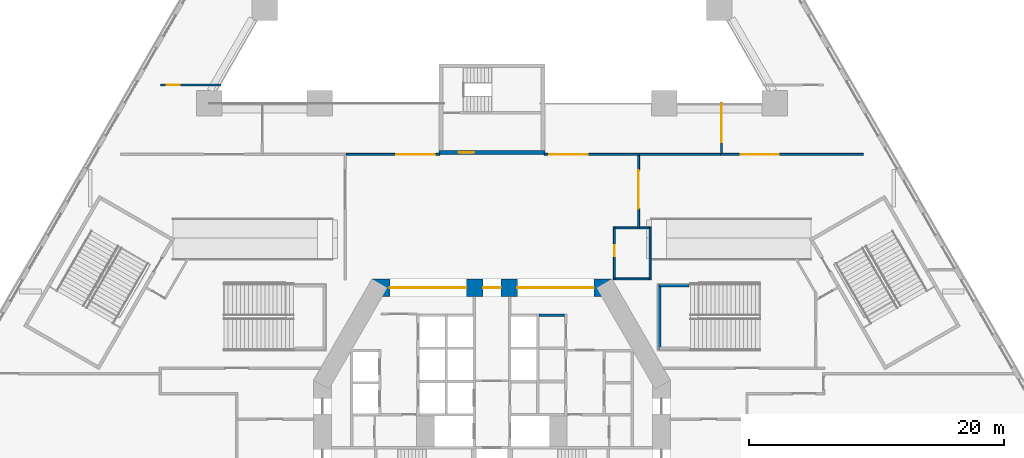
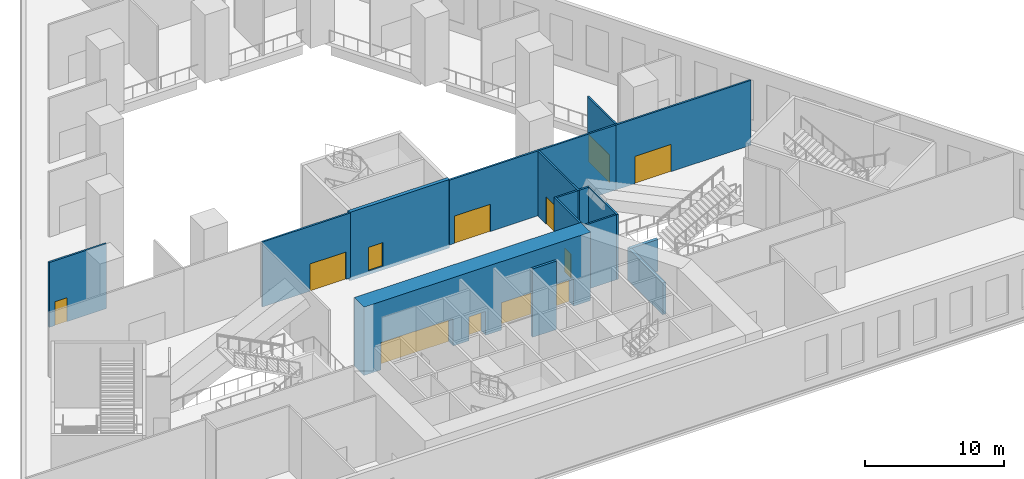
# One storey, part 5 of 16: 17 walls, 11 doors, 11 openings.
"""IFC4 building model written with IfcOpenShell, lengths in metres."""

from ifc_helpers import new_model, si_unit, direction, frame, frame_2d, origin, place, context, subcontext, project, spatial, rectangle, extrude, material, layer, layer_set, type_object, element, fill, save


model = new_model("IFC4")

# Units and contexts
model_context = context("Model", 3, precision=1e-05, world=origin(), true_north=direction((0.0, 1.0)))
body_context = subcontext(model_context, "Body", "Model", "MODEL_VIEW")
ifc_project = project(units=[si_unit("LENGTHUNIT", "METRE"), si_unit("AREAUNIT", "SQUARE_METRE"), si_unit("VOLUMEUNIT", "CUBIC_METRE"), si_unit("PLANEANGLEUNIT", "RADIAN"), si_unit("MASSUNIT", "GRAM", prefix="KILO")], contexts=[model_context])

# Site, building, storey
site_placement = place(None, origin())
site = spatial("IfcSite", under=ifc_project, at=site_placement, CompositionType="ELEMENT")
building_placement = place(site_placement, origin())
building = spatial("IfcBuilding", under=site, at=building_placement, Name="Fogline Exchange Tower", CompositionType="ELEMENT")
storey_placement = place(building_placement, frame((0.0, 0.0, 14.0)))
storey = spatial("IfcBuildingStorey", under=building, at=storey_placement, Name="L02", CompositionType="ELEMENT", Elevation=14.0)

# Wall
ifc_material_1 = material(Name="Concrete C40", Category="concrete")
ifc_layer_1 = layer(ifc_material_1, 0.199951171875)
ifc_layer_set_1 = layer_set([ifc_layer_1], Name="CW20S")
wall_type_1 = type_object("IfcWallType", Name="CW20S", PredefinedType="SOLIDWALL", material=ifc_layer_set_1)
wall_1_placement = place(storey_placement, frame((3.699951171875, 16.14990234375, -0.300048828125), z_axis=(0.0, 0.0, 1.0), x_axis=(1.0, 0.0, 0.0)))
element("IfcWall", 1, at=wall_1_placement, inside=storey, type_object=wall_type_1, Name="Lift shaft wall", PredefinedType="SOLIDWALL", context=body_context, shape_type="SweptSolid", body=[
    extrude(rectangle(XDim=2.0, YDim=0.199951171875, at=frame_2d((1.0, 0.0))), origin(), (0.0, 0.0, 1.0), 6.0),
])

# Wall, opening, door
ifc_layer_2 = layer(ifc_material_1, 0.300048828125)
ifc_layer_set_2 = layer_set([ifc_layer_2], Name="CW30")
wall_type_2 = type_object("IfcWallType", Name="CW30", PredefinedType="SOLIDWALL", material=ifc_layer_set_2)
wall_2_placement = place(storey_placement, frame((-4.14990234375, 28.906982421875, -0.300048828125), z_axis=(0.0, 0.0, 1.0), x_axis=(1.0, 0.0, 0.0)))
wall_2 = element("IfcWall", 2, at=wall_2_placement, inside=storey, type_object=wall_type_2, Name="Stair enclosure wall ST3", PredefinedType="SOLIDWALL", context=body_context, shape_type="SweptSolid", body=[
    extrude(rectangle(XDim=8.2998046875, YDim=0.300048828125, at=frame_2d((4.14990234375, 0.0))), origin(), (0.0, 0.0, 1.0), 6.0),
])
opening_1_placement = place(wall_2_placement, frame((1.550048828125, 0.0, 0.300048828125)))
opening_1 = element("IfcOpeningElement", 3, at=opening_1_placement, cuts=wall_2, Name="Opening P02-C023", PredefinedType="OPENING", context=body_context, shape_type="SweptSolid", body=[
    extrude(rectangle(XDim=1.199951171875, YDim=2.10009765625, at=frame_2d((0.60009765625, 1.050048828125))), frame((0.0, 0.16015625, 0.0), z_axis=(0.0, -1.0, 0.0), x_axis=(1.0, 0.0, 0.0)), (0.0, 0.0, 1.0), 0.320068359375),
])
ifc_material_2 = material(Name="Steel and timber fire door", Category="steel")
door_type_1 = type_object("IfcDoorType", Name="D-FR1", OperationType="SINGLE_SWING_RIGHT", PredefinedType="DOOR", material=ifc_material_2)
door_1_placement = place(opening_1_placement, origin())
door_1 = element("IfcDoor", 4, at=door_1_placement, inside=storey, type_object=door_type_1, Name="Front room door ST3", OperationType="SINGLE_SWING_LEFT", OverallHeight=2.10009765625, OverallWidth=1.199951171875, PredefinedType="DOOR", context=body_context, shape_type="SweptSolid", body=[
    extrude(rectangle(XDim=1.199951171875, YDim=2.10009765625, at=frame_2d((0.60009765625, 1.050048828125))), frame((0.0, 0.02490234375, 0.0), z_axis=(0.0, -1.0, 0.0), x_axis=(1.0, 0.0, 0.0)), (0.0, 0.0, 1.0), 0.050048828125),
])
fill(opening_1, door_1)

ifc_material_3 = material(Name="Plasterboard on steel stud", Category="steel")
ifc_layer_3 = layer(ifc_material_3, 0.14990234375)
ifc_layer_set_3 = layer_set([ifc_layer_3], Name="PP1")
wall_type_3 = type_object("IfcWallType", Name="PP1", PredefinedType="PARTITIONING", material=ifc_layer_set_3)
wall_3_placement = place(storey_placement, frame((9.60009765625, 18.925048828125, 0.0), z_axis=(0.0, 0.0, 1.0), x_axis=(0.0, 1.0, 0.0)))
wall_3 = element("IfcWall", 5, at=wall_3_placement, inside=storey, type_object=wall_type_3, Name="PP1 partition", PredefinedType="PARTITIONING", context=body_context, shape_type="SweptSolid", body=[
    extrude(rectangle(XDim=4.14990234375, YDim=0.14990234375, at=frame_2d((2.074951171875, 0.0))), origin(), (0.0, 0.0, 1.0), 5.699951171875),
])
opening_2_placement = place(wall_3_placement, frame((1.824951171875, 0.0, 0.0)))
opening_2 = element("IfcOpeningElement", 6, at=opening_2_placement, cuts=wall_3, Name="Opening P02-D007", PredefinedType="OPENING", context=body_context, shape_type="SweptSolid", body=[
    extrude(rectangle(XDim=0.89990234375, YDim=2.10009765625, at=frame_2d((0.449951171875, 1.050048828125))), frame((0.0, 0.0849609375, 0.0), z_axis=(0.0, -1.0, 0.0), x_axis=(1.0, 0.0, 0.0)), (0.0, 0.0, 1.0), 0.169921875),
])
ifc_material_4 = material(Name="Timber", Category="wood")
door_type_2 = type_object("IfcDoorType", Name="PD2", OperationType="SINGLE_SWING_LEFT", PredefinedType="DOOR", material=ifc_material_4)
door_2_placement = place(opening_2_placement, frame((0.89990234375, 0.0, 0.0), z_axis=(0.0, 0.0, 1.0), x_axis=(-1.0, 0.0, 0.0)))
door_2 = element("IfcDoor", 7, at=door_2_placement, inside=storey, type_object=door_type_2, Name="P02-D007", OperationType="SINGLE_SWING_LEFT", OverallHeight=2.10009765625, OverallWidth=0.89990234375, PredefinedType="DOOR", context=body_context, shape_type="SweptSolid", body=[
    extrude(rectangle(XDim=0.89990234375, YDim=2.10009765625, at=frame_2d((0.449951171875, 1.050048828125))), frame((0.0, 0.02490234375, 0.0), z_axis=(0.0, -1.0, 0.0), x_axis=(1.0, 0.0, 0.0)), (0.0, 0.0, 1.0), 0.050048828125),
])
fill(opening_2, door_2)

# Walls
wall_4_placement = place(storey_placement, frame((12.324951171875, 19.0, 0.0), z_axis=(0.0, 0.0, 1.0), x_axis=(-1.0, 0.0, 0.0)))
element("IfcWall", 8, at=wall_4_placement, inside=storey, type_object=wall_type_3, Name="PP1 partition", PredefinedType="PARTITIONING", context=body_context, shape_type="SweptSolid", body=[
    extrude(rectangle(XDim=2.64990234375, YDim=0.14990234375, at=frame_2d((1.324951171875, 0.0))), origin(), (0.0, 0.0, 1.0), 5.699951171875),
])
wall_5_placement = place(storey_placement, frame((9.675048828125, 23.0, 0.0), z_axis=(0.0, 0.0, 1.0), x_axis=(1.0, 0.0, 0.0)))
element("IfcWall", 9, at=wall_5_placement, inside=storey, type_object=wall_type_3, Name="PP1 partition", PredefinedType="PARTITIONING", context=body_context, shape_type="SweptSolid", body=[
    extrude(rectangle(XDim=1.75, YDim=0.14990234375, at=frame_2d((0.875, 0.0))), origin(), (0.0, 0.0, 1.0), 5.699951171875),
])
wall_6_placement = place(storey_placement, frame((11.574951171875, 23.0, 0.0), z_axis=(0.0, 0.0, 1.0), x_axis=(1.0, 0.0, 0.0)))
element("IfcWall", 10, at=wall_6_placement, inside=storey, type_object=wall_type_3, Name="PP1 partition", PredefinedType="PARTITIONING", context=body_context, shape_type="SweptSolid", body=[
    extrude(rectangle(XDim=0.75, YDim=0.14990234375, at=frame_2d((0.375, 0.0))), origin(), (0.0, 0.0, 1.0), 5.699951171875),
])
wall_7_placement = place(storey_placement, frame((12.39990234375, 23.074951171875, 0.0), z_axis=(0.0, 0.0, 1.0), x_axis=(0.0, -1.0, 0.0)))
element("IfcWall", 11, at=wall_7_placement, inside=storey, type_object=wall_type_3, Name="PP1 partition", PredefinedType="PARTITIONING", context=body_context, shape_type="SweptSolid", body=[
    extrude(rectangle(XDim=4.14990234375, YDim=0.14990234375, at=frame_2d((2.074951171875, 0.0))), origin(), (0.0, 0.0, 1.0), 5.699951171875),
])

# Wall, opening, door
wall_8_placement = place(storey_placement, frame((11.5, 28.68505859375, 0.0), z_axis=(0.0, 0.0, 1.0), x_axis=(0.0, -1.0, 0.0)))
wall_8 = element("IfcWall", 12, at=wall_8_placement, inside=storey, type_object=wall_type_3, Name="PP1 partition", PredefinedType="PARTITIONING", context=body_context, shape_type="SweptSolid", body=[
    extrude(rectangle(XDim=5.760009765625, YDim=0.14990234375, at=frame_2d((2.8798828125, 0.0))), origin(), (0.0, 0.0, 1.0), 5.699951171875),
])
opening_3_placement = place(wall_8_placement, frame((1.18505859375, 0.0, 0.0)))
opening_3 = element("IfcOpeningElement", 13, at=opening_3_placement, cuts=wall_8, Name="Opening P02-D019", PredefinedType="OPENING", context=body_context, shape_type="SweptSolid", body=[
    extrude(rectangle(XDim=3.0, YDim=2.39990234375, at=frame_2d((1.5, 1.199951171875))), frame((0.0, 0.0849609375, 0.0), z_axis=(0.0, -1.0, 0.0), x_axis=(1.0, 0.0, 0.0)), (0.0, 0.0, 1.0), 0.169921875),
])
ifc_material_5 = material(Name="Steel Q235B", Category="steel")
door_type_3 = type_object("IfcDoorType", Name="PD13", OperationType="DOUBLE_DOOR_SINGLE_SWING", PredefinedType="DOOR", material=ifc_material_5)
door_3_placement = place(opening_3_placement, origin())
door_3 = element("IfcDoor", 14, at=door_3_placement, inside=storey, type_object=door_type_3, Name="P02-D019", OperationType="DOUBLE_DOOR_SINGLE_SWING", OverallHeight=2.39990234375, OverallWidth=3.0, PredefinedType="DOOR", context=body_context, shape_type="SweptSolid", body=[
    extrude(rectangle(XDim=3.0, YDim=2.39990234375, at=frame_2d((1.5, 1.199951171875))), frame((0.0, 0.02490234375, 0.0), z_axis=(0.0, -1.0, 0.0), x_axis=(1.0, 0.0, 0.0)), (0.0, 0.0, 1.0), 0.050048828125),
])
fill(opening_3, door_3)

wall_9_placement = place(storey_placement, frame((-11.425048828125, 28.760009765625, 0.0), z_axis=(0.0, 0.0, 1.0), x_axis=(1.0, 0.0, 0.0)))
wall_9 = element("IfcWall", 15, at=wall_9_placement, inside=storey, type_object=wall_type_3, Name="PP1 partition", PredefinedType="PARTITIONING", context=body_context, shape_type="SweptSolid", body=[
    extrude(rectangle(XDim=7.320068359375, YDim=0.14990234375, at=frame_2d((3.66015625, 0.0))), origin(), (0.0, 0.0, 1.0), 5.699951171875),
])
opening_4_placement = place(wall_9_placement, frame((3.925048828125, 0.0, 0.0)))
opening_4 = element("IfcOpeningElement", 16, at=opening_4_placement, cuts=wall_9, Name="Opening P02-D030", PredefinedType="OPENING", context=body_context, shape_type="SweptSolid", body=[
    extrude(rectangle(XDim=3.0, YDim=2.39990234375, at=frame_2d((1.5, 1.199951171875))), frame((0.0, 0.0849609375, 0.0), z_axis=(0.0, -1.0, 0.0), x_axis=(1.0, 0.0, 0.0)), (0.0, 0.0, 1.0), 0.169921875),
])
door_4_placement = place(opening_4_placement, origin())
door_4 = element("IfcDoor", 17, at=door_4_placement, inside=storey, type_object=door_type_3, Name="P02-D030", OperationType="DOUBLE_DOOR_SINGLE_SWING", OverallHeight=2.39990234375, OverallWidth=3.0, PredefinedType="DOOR", context=body_context, shape_type="SweptSolid", body=[
    extrude(rectangle(XDim=3.0, YDim=2.39990234375, at=frame_2d((1.5, 1.199951171875))), frame((0.0, 0.02490234375, 0.0), z_axis=(0.0, -1.0, 0.0), x_axis=(1.0, 0.0, 0.0)), (0.0, 0.0, 1.0), 0.050048828125),
])
fill(opening_4, door_4)

wall_10_placement = place(storey_placement, frame((4.10498046875, 28.760009765625, 0.0), z_axis=(0.0, 0.0, 1.0), x_axis=(1.0, 0.0, 0.0)))
wall_10 = element("IfcWall", 18, at=wall_10_placement, inside=storey, type_object=wall_type_3, Name="PP1 partition", PredefinedType="PARTITIONING", context=body_context, shape_type="SweptSolid", body=[
    extrude(rectangle(XDim=7.469970703125, YDim=0.14990234375, at=frame_2d((3.73486328125, 0.0))), origin(), (0.0, 0.0, 1.0), 5.699951171875),
])
opening_5_placement = place(wall_10_placement, frame((0.39501953125, 0.0, 0.0)))
opening_5 = element("IfcOpeningElement", 19, at=opening_5_placement, cuts=wall_10, Name="Opening P02-D031", PredefinedType="OPENING", context=body_context, shape_type="SweptSolid", body=[
    extrude(rectangle(XDim=3.0, YDim=2.39990234375, at=frame_2d((1.5, 1.199951171875))), frame((0.0, 0.0849609375, 0.0), z_axis=(0.0, -1.0, 0.0), x_axis=(1.0, 0.0, 0.0)), (0.0, 0.0, 1.0), 0.169921875),
])
door_5_placement = place(opening_5_placement, origin())
door_5 = element("IfcDoor", 20, at=door_5_placement, inside=storey, type_object=door_type_3, Name="P02-D031", OperationType="DOUBLE_DOOR_SINGLE_SWING", OverallHeight=2.39990234375, OverallWidth=3.0, PredefinedType="DOOR", context=body_context, shape_type="SweptSolid", body=[
    extrude(rectangle(XDim=3.0, YDim=2.39990234375, at=frame_2d((1.5, 1.199951171875))), frame((0.0, 0.02490234375, 0.0), z_axis=(0.0, -1.0, 0.0), x_axis=(1.0, 0.0, 0.0)), (0.0, 0.0, 1.0), 0.050048828125),
])
fill(opening_5, door_5)

# Wall
wall_11_placement = place(storey_placement, frame((11.574951171875, 28.760009765625, 0.0), z_axis=(0.0, 0.0, 1.0), x_axis=(1.0, 0.0, 0.0)))
element("IfcWall", 21, at=wall_11_placement, inside=storey, type_object=wall_type_3, Name="PP1 partition", PredefinedType="PARTITIONING", context=body_context, shape_type="SweptSolid", body=[
    extrude(rectangle(XDim=6.35009765625, YDim=0.14990234375, at=frame_2d((3.175048828125, 0.0))), origin(), (0.0, 0.0, 1.0), 5.699951171875),
])

# Wall, opening, door
wall_12_placement = place(storey_placement, frame((17.925048828125, 28.760009765625, 0.0), z_axis=(0.0, 0.0, 1.0), x_axis=(1.0, 0.0, 0.0)))
wall_12 = element("IfcWall", 22, at=wall_12_placement, inside=storey, type_object=wall_type_3, Name="PP1 partition", PredefinedType="PARTITIONING", context=body_context, shape_type="SweptSolid", body=[
    extrude(rectangle(XDim=11.201416015625, YDim=0.14990234375, at=frame_2d((5.6005859375, 0.0))), origin(), (0.0, 0.0, 1.0), 5.699951171875),
])
opening_6_placement = place(wall_12_placement, frame((1.574951171875, 0.0, 0.0)))
opening_6 = element("IfcOpeningElement", 23, at=opening_6_placement, cuts=wall_12, Name="Opening P02-D029", PredefinedType="OPENING", context=body_context, shape_type="SweptSolid", body=[
    extrude(rectangle(XDim=3.0, YDim=2.39990234375, at=frame_2d((1.5, 1.199951171875))), frame((0.0, 0.0849609375, 0.0), z_axis=(0.0, -1.0, 0.0), x_axis=(1.0, 0.0, 0.0)), (0.0, 0.0, 1.0), 0.169921875),
])
door_6_placement = place(opening_6_placement, origin())
door_6 = element("IfcDoor", 24, at=door_6_placement, inside=storey, type_object=door_type_3, Name="P02-D029", OperationType="DOUBLE_DOOR_SINGLE_SWING", OverallHeight=2.39990234375, OverallWidth=3.0, PredefinedType="DOOR", context=body_context, shape_type="SweptSolid", body=[
    extrude(rectangle(XDim=3.0, YDim=2.39990234375, at=frame_2d((1.5, 1.199951171875))), frame((0.0, 0.02490234375, 0.0), z_axis=(0.0, -1.0, 0.0), x_axis=(1.0, 0.0, 0.0)), (0.0, 0.0, 1.0), 0.050048828125),
])
fill(opening_6, door_6)

wall_13_placement = place(storey_placement, frame((18.0, 28.8349609375, 0.0), z_axis=(0.0, 0.0, 1.0), x_axis=(0.0, 1.0, 0.0)))
wall_13 = element("IfcWall", 25, at=wall_13_placement, inside=storey, type_object=wall_type_3, Name="PP1 partition", PredefinedType="PARTITIONING", context=body_context, shape_type="SweptSolid", body=[
    extrude(rectangle(XDim=4.0, YDim=0.14990234375, at=frame_2d((2.0, 0.0))), origin(), (0.0, 0.0, 1.0), 5.699951171875),
])
opening_7_placement = place(wall_13_placement, frame((0.8798828125, 0.0, 0.0)))
opening_7 = element("IfcOpeningElement", 26, at=opening_7_placement, cuts=wall_13, Name="Opening P02-D027", PredefinedType="OPENING", context=body_context, shape_type="SweptSolid", body=[
    extrude(rectangle(XDim=3.0, YDim=2.39990234375, at=frame_2d((1.5, 1.199951171875))), frame((0.0, 0.0849609375, 0.0), z_axis=(0.0, -1.0, 0.0), x_axis=(1.0, 0.0, 0.0)), (0.0, 0.0, 1.0), 0.169921875),
])
door_7_placement = place(opening_7_placement, frame((3.0, 0.0, 0.0), z_axis=(0.0, 0.0, 1.0), x_axis=(-1.0, 0.0, 0.0)))
door_7 = element("IfcDoor", 27, at=door_7_placement, inside=storey, type_object=door_type_3, Name="P02-D027", OperationType="DOUBLE_DOOR_SINGLE_SWING", OverallHeight=2.39990234375, OverallWidth=3.0, PredefinedType="DOOR", context=body_context, shape_type="SweptSolid", body=[
    extrude(rectangle(XDim=3.0, YDim=2.39990234375, at=frame_2d((1.5, 1.199951171875))), frame((0.0, 0.02490234375, 0.0), z_axis=(0.0, -1.0, 0.0), x_axis=(1.0, 0.0, 0.0)), (0.0, 0.0, 1.0), 0.050048828125),
])
fill(opening_7, door_7)

wall_14_placement = place(storey_placement, frame((-25.985595703125, 34.199951171875, 0.0), z_axis=(0.0, 0.0, 1.0), x_axis=(1.0, 0.0, 0.0)))
wall_14 = element("IfcWall", 28, at=wall_14_placement, inside=storey, type_object=wall_type_3, Name="PP1 partition", PredefinedType="PARTITIONING", context=body_context, shape_type="SweptSolid", body=[
    extrude(rectangle(XDim=4.734130859375, YDim=0.14990234375, at=frame_2d((2.3671875, 0.0))), origin(), (0.0, 0.0, 1.0), 5.699951171875),
])
opening_8_placement = place(wall_14_placement, frame((0.485595703125, 0.0, 0.0)))
opening_8 = element("IfcOpeningElement", 29, at=opening_8_placement, cuts=wall_14, Name="Opening P02-D032", PredefinedType="OPENING", context=body_context, shape_type="SweptSolid", body=[
    extrude(rectangle(XDim=1.0, YDim=2.10009765625, at=frame_2d((0.5, 1.050048828125))), frame((0.0, 0.0849609375, 0.0), z_axis=(0.0, -1.0, 0.0), x_axis=(1.0, 0.0, 0.0)), (0.0, 0.0, 1.0), 0.169921875),
])
door_type_4 = type_object("IfcDoorType", Name="PD1", OperationType="SINGLE_SWING_LEFT", PredefinedType="DOOR", material=ifc_material_4)
door_8_placement = place(opening_8_placement, origin())
door_8 = element("IfcDoor", 30, at=door_8_placement, inside=storey, type_object=door_type_4, Name="P02-D032", OperationType="SINGLE_SWING_LEFT", OverallHeight=2.10009765625, OverallWidth=1.0, PredefinedType="DOOR", context=body_context, shape_type="SweptSolid", body=[
    extrude(rectangle(XDim=1.0, YDim=2.10009765625, at=frame_2d((0.5, 1.050048828125))), frame((0.0, 0.02490234375, 0.0), z_axis=(0.0, -1.0, 0.0), x_axis=(1.0, 0.0, 0.0)), (0.0, 0.0, 1.0), 0.050048828125),
])
fill(opening_8, door_8)

# Walls
ifc_layer_4 = layer(ifc_material_1, 0.25)
ifc_layer_set_4 = layer_set([ifc_layer_4], Name="PP6")
wall_type_4 = type_object("IfcWallType", Name="PP6", PredefinedType="SOLIDWALL", material=ifc_layer_set_4)
wall_15_placement = place(storey_placement, frame((13.125, 13.449951171875, 0.0), z_axis=(0.0, 0.0, 1.0), x_axis=(0.0, 1.0, 0.0)))
element("IfcWall", 31, at=wall_15_placement, inside=storey, type_object=wall_type_4, Name="PP6 bearing wall", PredefinedType="SOLIDWALL", context=body_context, shape_type="SweptSolid", body=[
    extrude(rectangle(XDim=5.10009765625, YDim=0.25, at=frame_2d((2.550048828125, 0.0))), origin(), (0.0, 0.0, 1.0), 2.800048828125),
])
wall_16_placement = place(storey_placement, frame((13.125, 18.47509765625, 0.0), z_axis=(0.0, 0.0, 1.0), x_axis=(1.0, 0.0, 0.0)))
element("IfcWall", 32, at=wall_16_placement, inside=storey, type_object=wall_type_4, Name="PP6 bearing wall", PredefinedType="SOLIDWALL", context=body_context, shape_type="SweptSolid", body=[
    extrude(rectangle(XDim=2.31005859375, YDim=0.25, at=frame_2d((1.155029296875, 0.0))), origin(), (0.0, 0.0, 1.0), 2.800048828125),
])

# Wall, openings, doors
ifc_material_6 = material(Name="Concrete C60", Category="concrete")
ifc_layer_5 = layer(ifc_material_6, 1.39990234375)
ifc_layer_set_5 = layer_set([ifc_layer_5], Name="SW01")
wall_type_5 = type_object("IfcWallType", Name="SW01", PredefinedType="SHEAR", material=ifc_layer_set_5)
wall_17_placement = place(storey_placement, frame((9.41162109375, 18.300048828125, 0.0), z_axis=(0.0, 0.0, 1.0), x_axis=(-1.0, 0.0, 0.0)))
wall_17 = element("IfcWall", 33, at=wall_17_placement, inside=storey, type_object=wall_type_5, Name="L02-W904", PredefinedType="SHEAR", context=body_context, shape_type="SweptSolid", body=[
    extrude(rectangle(XDim=18.8232421875, YDim=1.39990234375, at=frame_2d((9.41162109375, 0.0))), origin(), (0.0, 0.0, 1.0), 6.0),
])
opening_9_placement = place(wall_17_placement, frame((8.71142578125, 0.0, 0.0)))
opening_9 = element("IfcOpeningElement", 34, at=opening_9_placement, cuts=wall_17, Name="Opening P02-C020", PredefinedType="OPENING", context=body_context, shape_type="SweptSolid", body=[
    extrude(rectangle(XDim=1.39990234375, YDim=2.10009765625, at=frame_2d((0.699951171875, 1.050048828125))), frame((0.0, 0.7099609375, 0.0), z_axis=(0.0, -1.0, 0.0), x_axis=(1.0, 0.0, 0.0)), (0.0, 0.0, 1.0), 1.419921875),
])
opening_10_placement = place(wall_17_placement, frame((11.41162109375, 0.0, 0.0)))
opening_10 = element("IfcOpeningElement", 35, at=opening_10_placement, cuts=wall_17, Name="Opening P02-C021", PredefinedType="OPENING", context=body_context, shape_type="SweptSolid", body=[
    extrude(rectangle(XDim=6.0, YDim=2.39990234375, at=frame_2d((3.0, 1.199951171875))), frame((0.0, 0.7099609375, 0.0), z_axis=(0.0, -1.0, 0.0), x_axis=(1.0, 0.0, 0.0)), (0.0, 0.0, 1.0), 1.419921875),
])
opening_11_placement = place(wall_17_placement, frame((1.41162109375, 0.0, 0.0)))
opening_11 = element("IfcOpeningElement", 36, at=opening_11_placement, cuts=wall_17, Name="Opening P02-C022", PredefinedType="OPENING", context=body_context, shape_type="SweptSolid", body=[
    extrude(rectangle(XDim=6.0, YDim=2.39990234375, at=frame_2d((3.0, 1.199951171875))), frame((0.0, 0.7099609375, 0.0), z_axis=(0.0, -1.0, 0.0), x_axis=(1.0, 0.0, 0.0)), (0.0, 0.0, 1.0), 1.419921875),
])
door_type_5 = type_object("IfcDoorType", Name="D-LB1", OperationType="DOUBLE_DOOR_SINGLE_SWING", PredefinedType="DOOR", material=ifc_material_2)
door_9_placement = place(opening_9_placement, origin())
door_9 = element("IfcDoor", 37, at=door_9_placement, inside=storey, type_object=door_type_5, Name="Protected lobby door", OperationType="DOUBLE_DOOR_SINGLE_SWING", OverallHeight=2.10009765625, OverallWidth=1.39990234375, PredefinedType="DOOR", context=body_context, shape_type="SweptSolid", body=[
    extrude(rectangle(XDim=1.39990234375, YDim=2.10009765625, at=frame_2d((0.699951171875, 1.050048828125))), frame((0.0, 0.02490234375, 0.0), z_axis=(0.0, -1.0, 0.0), x_axis=(1.0, 0.0, 0.0)), (0.0, 0.0, 1.0), 0.050048828125),
])
fill(opening_9, door_9)
door_type_6 = type_object("IfcDoorType", Name="D-LE1", OperationType="DOUBLE_DOOR_SLIDING", PredefinedType="DOOR", material=ifc_material_2)
door_10_placement = place(opening_10_placement, origin())
door_10 = element("IfcDoor", 38, at=door_10_placement, inside=storey, type_object=door_type_6, Name="Lift lobby entrance west", OperationType="DOUBLE_DOOR_SLIDING", OverallHeight=2.39990234375, OverallWidth=6.0, PredefinedType="DOOR", context=body_context, shape_type="SweptSolid", body=[
    extrude(rectangle(XDim=6.0, YDim=2.39990234375, at=frame_2d((3.0, 1.199951171875))), frame((0.0, 0.02490234375, 0.0), z_axis=(0.0, -1.0, 0.0), x_axis=(1.0, 0.0, 0.0)), (0.0, 0.0, 1.0), 0.050048828125),
])
fill(opening_10, door_10)
door_11_placement = place(opening_11_placement, origin())
door_11 = element("IfcDoor", 39, at=door_11_placement, inside=storey, type_object=door_type_6, Name="Lift lobby entrance east", OperationType="DOUBLE_DOOR_SLIDING", OverallHeight=2.39990234375, OverallWidth=6.0, PredefinedType="DOOR", context=body_context, shape_type="SweptSolid", body=[
    extrude(rectangle(XDim=6.0, YDim=2.39990234375, at=frame_2d((3.0, 1.199951171875))), frame((0.0, 0.02490234375, 0.0), z_axis=(0.0, -1.0, 0.0), x_axis=(1.0, 0.0, 0.0)), (0.0, 0.0, 1.0), 0.050048828125),
])
fill(opening_11, door_11)

save(model, "model.ifc")
